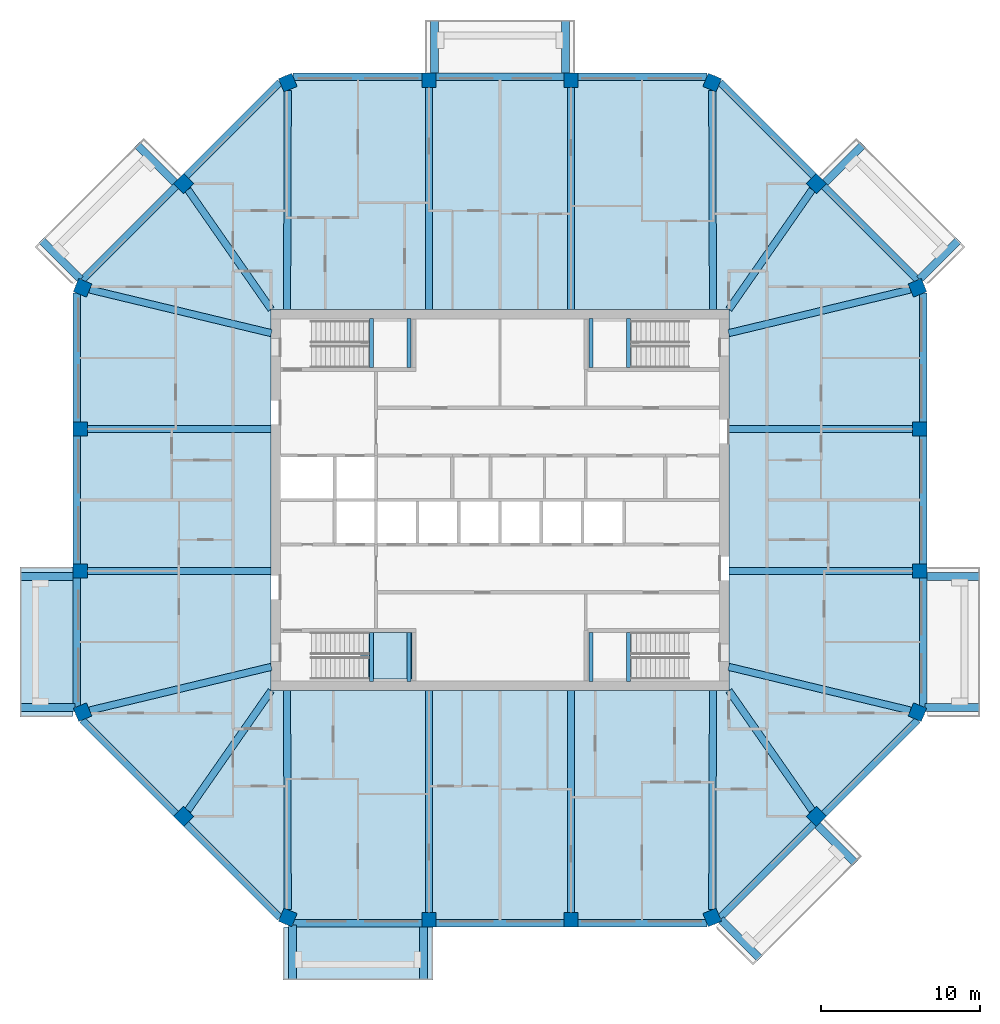
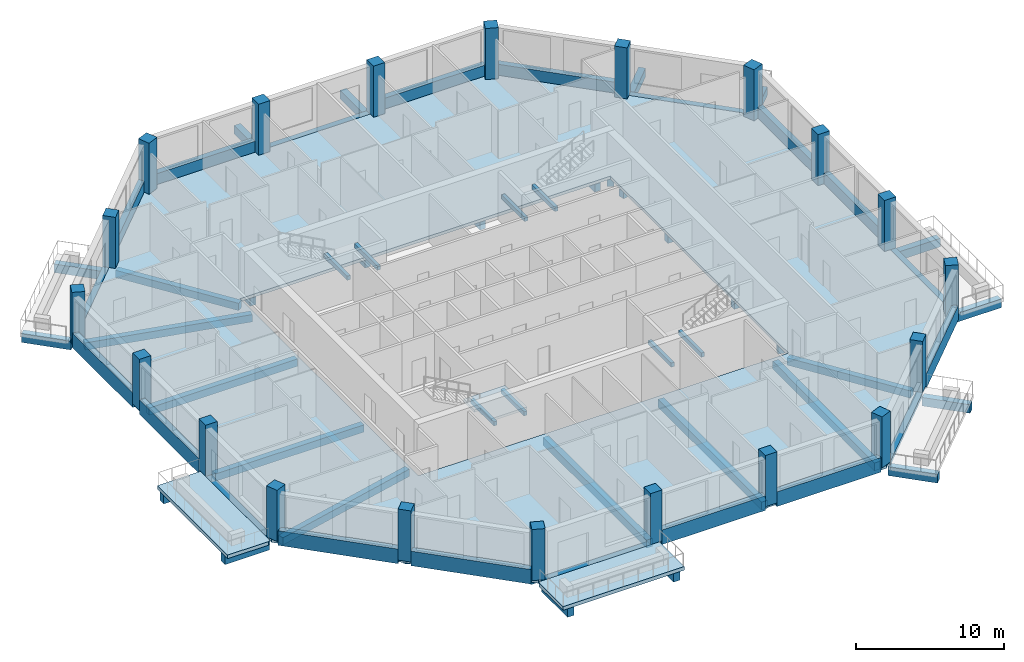
# One storey, part 1 of 11: 62 beams, 20 columns, 4 slabs, 1 element without a shape of its own.
"""IFC4 building model written with IfcOpenShell, lengths in metres."""

from ifc_helpers import new_model, si_unit, direction, frame, origin, origin_2d, place, context, subcontext, project, spatial, polyline, rectangle, outline, extrude, material, layer, layer_set, material_profile, profile_set, type_object, element, aggregate, save


model = new_model("IFC4")

# Units and contexts
model_context = context("Model", 3, precision=1e-05, world=origin(), true_north=direction((0.0, 1.0)))
body_context = subcontext(model_context, "Body", "Model", "MODEL_VIEW")
ifc_project = project(units=[si_unit("LENGTHUNIT", "METRE"), si_unit("AREAUNIT", "SQUARE_METRE"), si_unit("VOLUMEUNIT", "CUBIC_METRE"), si_unit("PLANEANGLEUNIT", "RADIAN"), si_unit("MASSUNIT", "GRAM", prefix="KILO")], contexts=[model_context])

# Site, building, storey
site_placement = place(None, origin())
site = spatial("IfcSite", under=ifc_project, at=site_placement, CompositionType="ELEMENT")
building_placement = place(site_placement, origin())
building = spatial("IfcBuilding", under=site, at=building_placement, Name="Msitu Wima Residences", CompositionType="ELEMENT")
storey_placement = place(building_placement, frame((0.0, 0.0, 226.5)))
storey = spatial("IfcBuildingStorey", under=building, at=storey_placement, Name="L52", CompositionType="ELEMENT", Elevation=226.5)

# Columns
ifc_material_1 = material(Name="Concrete C50/60", Category="concrete")
ifc_material_profile_1 = material_profile(ifc_material_1, rectangle(XDim=0.89990234375, YDim=0.89990234375, at=origin_2d()), Name="RC 900x900")
ifc_profile_set_1 = profile_set([ifc_material_profile_1], Name="Concrete C50/60")
column_type = type_object("IfcColumnType", Name="Column RC 900x900 Concrete C50/60", PredefinedType="COLUMN", material=ifc_profile_set_1)
for number, where, z_axis, x_axis, name in (
    (1, (26.261962890625, -13.3486328125, 0.0), (0.0, 0.0, 1.0), (0.382683496864, 0.923879505795, 0.0), "Column L52 C-E0"),
    (2, (26.39990234375, -4.46875, 0.0), (0.0, 0.0, 1.0), (0.0, 1.0, 0.0), "Column L52 C-E1"),
    (3, (26.39990234375, 4.46875, 0.0), (0.0, 0.0, 1.0), (0.0, 1.0, 0.0), "Column L52 C-E2"),
    (4, (26.261962890625, 13.3486328125, 0.0), (0.0, 0.0, 1.0), (-0.382683496864, 0.923879505795, 0.0), "Column L52 C-NE0"),
    (5, (19.90283203125, 19.90283203125, 0.0), (0.0, 0.0, 1.0), (-0.707106781187, 0.707106781187, 0.0), "Column L52 C-NE1"),
    (6, (13.3486328125, 26.261962890625, 0.0), (0.0, 0.0, 1.0), (-0.923879505795, 0.382683496864, 0.0), "Column L52 C-N0"),
    (7, (4.46875, 26.39990234375, 0.0), (0.0, 0.0, 1.0), (-1.0, 0.0, 0.0), "Column L52 C-N1"),
    (8, (-4.46875, 26.39990234375, 0.0), (0.0, 0.0, 1.0), (-1.0, 0.0, 0.0), "Column L52 C-N2"),
    (9, (-13.3486328125, 26.261962890625, 0.0), (0.0, 0.0, 1.0), (-0.923879505795, -0.382683496864, 0.0), "Column L52 C-NW0"),
    (10, (-19.90283203125, 19.90283203125, 0.0), (0.0, 0.0, 1.0), (-0.707106781187, -0.707106781187, 0.0), "Column L52 C-NW1"),
    (11, (-26.261962890625, 13.3486328125, 0.0), (0.0, 0.0, 1.0), (-0.382683496864, -0.923879505795, 0.0), "Column L52 C-W0"),
    (12, (-26.39990234375, 4.46875, 0.0), (0.0, 0.0, 1.0), (0.0, -1.0, 0.0), "Column L52 C-W1"),
    (13, (-26.39990234375, -4.46875, 0.0), (0.0, 0.0, 1.0), (0.0, -1.0, 0.0), "Column L52 C-W2"),
    (14, (-26.261962890625, -13.3486328125, 0.0), (0.0, 0.0, 1.0), (0.382683496864, -0.923879505795, 0.0), "Column L52 C-SW0"),
    (15, (-19.90283203125, -19.90283203125, 0.0), (0.0, 0.0, 1.0), (0.707106781187, -0.707106781187, 0.0), "Column L52 C-SW1"),
    (16, (-13.3486328125, -26.261962890625, 0.0), (0.0, 0.0, 1.0), (0.923879505795, -0.382683496864, 0.0), "Column L52 C-S0"),
    (17, (-4.46875, -26.39990234375, 0.0), (0.0, 0.0, 1.0), (1.0, 0.0, 0.0), "Column L52 C-S1"),
    (18, (4.46875, -26.39990234375, 0.0), (0.0, 0.0, 1.0), (1.0, 0.0, 0.0), "Column L52 C-S2"),
    (19, (13.3486328125, -26.261962890625, 0.0), (0.0, 0.0, 1.0), (0.923879505795, 0.382683496864, 0.0), "Column L52 C-SE0"),
    (20, (19.90283203125, -19.90283203125, 0.0), (0.0, 0.0, 1.0), (0.707106781187, 0.707106781187, 0.0), "Column L52 C-SE1"),
):
    element("IfcColumn", number, at=place(storey_placement, frame(where, z_axis=z_axis, x_axis=x_axis)), inside=storey, type_object=column_type, Name=name, PredefinedType="COLUMN", context=body_context, shape_type="SweptSolid", body=[
        extrude(rectangle(XDim=0.89990234375, YDim=0.89990234375, at=origin_2d()), origin(), (0.0, 0.0, 1.0), 4.199951171875),
    ])

# Beams
ifc_material_profile_2 = material_profile(ifc_material_1, rectangle(XDim=0.449951171875, YDim=0.60009765625, at=origin_2d()), Name="RC 450x600")
ifc_profile_set_2 = profile_set([ifc_material_profile_2], Name="Concrete C50/60")
beam_type_1 = type_object("IfcBeamType", Name="Beam RC 450x600 Concrete C50/60", PredefinedType="BEAM", material=ifc_profile_set_2)
beam_1_placement = place(storey_placement, frame((25.819091796875, -13.242431640625, -0.550048828125), z_axis=(-0.972353359268, 0.233514335148, 0.0), x_axis=(-0.233514335148, -0.972353359268, 0.0)))
element("IfcBeam", 21, at=beam_1_placement, inside=storey, type_object=beam_type_1, Name="Beam L52 C-E0", PredefinedType="BEAM", context=body_context, shape_type="SweptSolid", body=[
    extrude(rectangle(XDim=0.449951171875, YDim=0.60009765625, at=origin_2d()), origin(), (0.0, 0.0, 1.0), 11.755615234375),
])
for number, where, z_axis, x_axis, name in (
    (22, (25.949951171875, -4.46875, -0.550048828125), (-1.0, 0.0, 0.0), (0.0, -1.0, 0.0), "Beam L52 C-E1"),
    (23, (25.949951171875, 4.46875, -0.550048828125), (-1.0, 0.0, 0.0), (0.0, -1.0, 0.0), "Beam L52 C-E2"),
):
    element("IfcBeam", number, at=place(storey_placement, frame(where, z_axis=z_axis, x_axis=x_axis)), inside=storey, type_object=beam_type_1, Name=name, PredefinedType="BEAM", context=body_context, shape_type="SweptSolid", body=[
        extrude(rectangle(XDim=0.449951171875, YDim=0.60009765625, at=origin_2d()), origin(), (0.0, 0.0, 1.0), 11.550048828125),
    ])
beam_2_placement = place(storey_placement, frame((25.819091796875, 13.242431640625, -0.550048828125), z_axis=(-0.972353359268, -0.233514335148, 0.0), x_axis=(0.233514335148, -0.972353359268, 0.0)))
element("IfcBeam", 24, at=beam_2_placement, inside=storey, type_object=beam_type_1, Name="Beam L52 C-NE0", PredefinedType="BEAM", context=body_context, shape_type="SweptSolid", body=[
    extrude(rectangle(XDim=0.449951171875, YDim=0.60009765625, at=origin_2d()), origin(), (0.0, 0.0, 1.0), 11.755615234375),
])
for number, where, z_axis, x_axis, name in (
    (25, (19.6416015625, 19.52783203125, -0.550048828125), (-0.571427822633, -0.820652328042, 0.0), (0.820652328042, -0.571427822633, 0.0), "Beam L52 C-NE1"),
    (26, (-19.6416015625, 19.52783203125, -0.550048828125), (0.571427822633, -0.820652328042, 0.0), (0.820652328042, 0.571427822633, 0.0), "Beam L52 C-NW1"),
):
    element("IfcBeam", number, at=place(storey_placement, frame(where, z_axis=z_axis, x_axis=x_axis)), inside=storey, type_object=beam_type_1, Name=name, PredefinedType="BEAM", context=body_context, shape_type="SweptSolid", body=[
        extrude(rectangle(XDim=0.449951171875, YDim=0.60009765625, at=origin_2d()), origin(), (0.0, 0.0, 1.0), 9.173095703125),
    ])
beam_3_placement = place(storey_placement, frame((-25.819091796875, 13.242431640625, -0.550048828125), z_axis=(0.972353359268, -0.233514335148, 0.0), x_axis=(0.233514335148, 0.972353359268, 0.0)))
element("IfcBeam", 27, at=beam_3_placement, inside=storey, type_object=beam_type_1, Name="Beam L52 C-W0", PredefinedType="BEAM", context=body_context, shape_type="SweptSolid", body=[
    extrude(rectangle(XDim=0.449951171875, YDim=0.60009765625, at=origin_2d()), origin(), (0.0, 0.0, 1.0), 11.755615234375),
])
for number, where, z_axis, x_axis, name in (
    (28, (-25.949951171875, 4.46875, -0.550048828125), (1.0, 0.0, 0.0), (0.0, 1.0, 0.0), "Beam L52 C-W1"),
    (29, (-25.949951171875, -4.46875, -0.550048828125), (1.0, 0.0, 0.0), (0.0, 1.0, 0.0), "Beam L52 C-W2"),
):
    element("IfcBeam", number, at=place(storey_placement, frame(where, z_axis=z_axis, x_axis=x_axis)), inside=storey, type_object=beam_type_1, Name=name, PredefinedType="BEAM", context=body_context, shape_type="SweptSolid", body=[
        extrude(rectangle(XDim=0.449951171875, YDim=0.60009765625, at=origin_2d()), origin(), (0.0, 0.0, 1.0), 11.550048828125),
    ])
beam_4_placement = place(storey_placement, frame((-25.819091796875, -13.242431640625, -0.550048828125), z_axis=(0.972353359268, 0.233514335148, 0.0), x_axis=(-0.233514335148, 0.972353359268, 0.0)))
element("IfcBeam", 30, at=beam_4_placement, inside=storey, type_object=beam_type_1, Name="Beam L52 C-SW0", PredefinedType="BEAM", context=body_context, shape_type="SweptSolid", body=[
    extrude(rectangle(XDim=0.449951171875, YDim=0.60009765625, at=origin_2d()), origin(), (0.0, 0.0, 1.0), 11.755615234375),
])
for number, where, z_axis, x_axis, name in (
    (31, (-19.6416015625, -19.52783203125, -0.550048828125), (0.571427822633, 0.820652328042, 0.0), (-0.820652328042, 0.571427822633, 0.0), "Beam L52 C-SW1"),
    (32, (19.6416015625, -19.52783203125, -0.550048828125), (-0.571427822633, 0.820652328042, 0.0), (-0.820652328042, -0.571427822633, 0.0), "Beam L52 C-SE1"),
):
    element("IfcBeam", number, at=place(storey_placement, frame(where, z_axis=z_axis, x_axis=x_axis)), inside=storey, type_object=beam_type_1, Name=name, PredefinedType="BEAM", context=body_context, shape_type="SweptSolid", body=[
        extrude(rectangle(XDim=0.449951171875, YDim=0.60009765625, at=origin_2d()), origin(), (0.0, 0.0, 1.0), 9.173095703125),
    ])
ifc_material_profile_3 = material_profile(ifc_material_1, rectangle(XDim=0.449951171875, YDim=0.64990234375, at=origin_2d()), Name="RC 450x650")
ifc_profile_set_3 = profile_set([ifc_material_profile_3], Name="Concrete C50/60")
beam_type_2 = type_object("IfcBeamType", Name="Beam RC 450x650 Concrete C50/60", PredefinedType="BEAM", material=ifc_profile_set_3)
beam_5_placement = place(storey_placement, frame((13.3505859375, 25.774169921875, -0.574951171875), z_axis=(0.003594933206, -0.999993538207, 0.0), x_axis=(0.999993538207, 0.003594933206, 0.0)))
element("IfcBeam", 33, at=beam_5_placement, inside=storey, type_object=beam_type_2, Name="Beam L52 C-N0", PredefinedType="BEAM", context=body_context, shape_type="SweptSolid", body=[
    extrude(rectangle(XDim=0.449951171875, YDim=0.64990234375, at=origin_2d()), origin(), (0.0, 0.0, 1.0), 13.7861328125),
])
for number, where, z_axis, x_axis, name in (
    (34, (4.46875, 25.949951171875, -0.574951171875), (0.0, -1.0, 0.0), (1.0, 0.0, 0.0), "Beam L52 C-N1"),
    (35, (-4.46875, 25.949951171875, -0.574951171875), (0.0, -1.0, 0.0), (1.0, 0.0, 0.0), "Beam L52 C-N2"),
):
    element("IfcBeam", number, at=place(storey_placement, frame(where, z_axis=z_axis, x_axis=x_axis)), inside=storey, type_object=beam_type_2, Name=name, PredefinedType="BEAM", context=body_context, shape_type="SweptSolid", body=[
        extrude(rectangle(XDim=0.449951171875, YDim=0.64990234375, at=origin_2d()), origin(), (0.0, 0.0, 1.0), 13.949951171875),
    ])
for number, where, z_axis, x_axis, name in (
    (36, (-13.3505859375, 25.774169921875, -0.574951171875), (-0.003594933206, -0.999993538207, 0.0), (0.999993538207, -0.003594933206, 0.0), "Beam L52 C-NW0"),
    (37, (-13.3505859375, -25.774169921875, -0.574951171875), (-0.003594933206, 0.999993538207, 0.0), (-0.999993538207, -0.003594933206, 0.0), "Beam L52 C-S0"),
):
    element("IfcBeam", number, at=place(storey_placement, frame(where, z_axis=z_axis, x_axis=x_axis)), inside=storey, type_object=beam_type_2, Name=name, PredefinedType="BEAM", context=body_context, shape_type="SweptSolid", body=[
        extrude(rectangle(XDim=0.449951171875, YDim=0.64990234375, at=origin_2d()), origin(), (0.0, 0.0, 1.0), 13.7861328125),
    ])
for number, where, z_axis, x_axis, name in (
    (38, (-4.46875, -25.949951171875, -0.574951171875), (0.0, 1.0, 0.0), (-1.0, 0.0, 0.0), "Beam L52 C-S1"),
    (39, (4.46875, -25.949951171875, -0.574951171875), (0.0, 1.0, 0.0), (-1.0, 0.0, 0.0), "Beam L52 C-S2"),
):
    element("IfcBeam", number, at=place(storey_placement, frame(where, z_axis=z_axis, x_axis=x_axis)), inside=storey, type_object=beam_type_2, Name=name, PredefinedType="BEAM", context=body_context, shape_type="SweptSolid", body=[
        extrude(rectangle(XDim=0.449951171875, YDim=0.64990234375, at=origin_2d()), origin(), (0.0, 0.0, 1.0), 13.949951171875),
    ])
beam_6_placement = place(storey_placement, frame((13.3505859375, -25.774169921875, -0.574951171875), z_axis=(0.003594933206, 0.999993538207, 0.0), x_axis=(-0.999993538207, 0.003594933206, 0.0)))
element("IfcBeam", 40, at=beam_6_placement, inside=storey, type_object=beam_type_2, Name="Beam L52 C-SE0", PredefinedType="BEAM", context=body_context, shape_type="SweptSolid", body=[
    extrude(rectangle(XDim=0.449951171875, YDim=0.64990234375, at=origin_2d()), origin(), (0.0, 0.0, 1.0), 13.7861328125),
])
ifc_material_profile_4 = material_profile(ifc_material_1, rectangle(XDim=0.5, YDim=0.699951171875, at=origin_2d()), Name="RC 500x700")
ifc_profile_set_4 = profile_set([ifc_material_profile_4], Name="Concrete C50/60")
beam_type_3 = type_object("IfcBeamType", Name="Cantilever beam RC 500x700 Concrete C50/60", PredefinedType="BEAM", material=ifc_profile_set_4)
beam_7_placement = place(storey_placement, frame((26.73095703125, -13.055908203125, -0.64990234375), z_axis=(1.0, 0.0, 0.0), x_axis=(0.0, 1.0, 0.0)))
element("IfcBeam", 41, at=beam_7_placement, inside=storey, type_object=beam_type_3, Name="Cantilever beam L52 BA-E0 A", PredefinedType="BEAM", context=body_context, shape_type="SweptSolid", body=[
    extrude(rectangle(XDim=0.5, YDim=0.699951171875, at=origin_2d()), origin(), (0.0, 0.0, 1.0), 3.468994140625),
])
beam_8_placement = place(storey_placement, frame((26.85009765625, -4.818603515625, -0.64990234375), z_axis=(1.0, 0.0, 0.0), x_axis=(0.0, 1.0, 0.0)))
element("IfcBeam", 42, at=beam_8_placement, inside=storey, type_object=beam_type_3, Name="Cantilever beam L52 BA-E0 B", PredefinedType="BEAM", context=body_context, shape_type="SweptSolid", body=[
    extrude(rectangle(XDim=0.5, YDim=0.699951171875, at=origin_2d()), origin(), (0.0, 0.0, 1.0), 3.349853515625),
])
beam_9_placement = place(storey_placement, frame((26.386474609375, 13.887451171875, -0.64990234375), z_axis=(0.707141968506, 0.707071592116, 0.0), x_axis=(-0.707071592116, 0.707141968506, 0.0)))
element("IfcBeam", 43, at=beam_9_placement, inside=storey, type_object=beam_type_3, Name="Cantilever beam L52 BA-NE0 A", PredefinedType="BEAM", context=body_context, shape_type="SweptSolid", body=[
    extrude(rectangle(XDim=0.5, YDim=0.699951171875, at=origin_2d()), origin(), (0.0, 0.0, 1.0), 3.468994140625),
])
for number, where, z_axis, x_axis, name in (
    (44, (20.46875, 19.9736328125, -0.64990234375), (0.707070340836, 0.707143219659, 0.0), (-0.707143219659, 0.707070340836, 0.0), "Cantilever beam L52 BA-NE0 B"),
    (45, (4.11865234375, 26.85009765625, -0.64990234375), (0.0, 1.0, 0.0), (-1.0, 0.0, 0.0), "Cantilever beam L52 BA-N1 A"),
    (46, (-4.11865234375, 26.85009765625, -0.64990234375), (0.0, 1.0, 0.0), (-1.0, 0.0, 0.0), "Cantilever beam L52 BA-N1 B"),
    (47, (-20.46875, 19.9736328125, -0.64990234375), (-0.707070340836, 0.707143219659, 0.0), (-0.707143219659, -0.707070340836, 0.0), "Cantilever beam L52 BA-NW1 A"),
):
    element("IfcBeam", number, at=place(storey_placement, frame(where, z_axis=z_axis, x_axis=x_axis)), inside=storey, type_object=beam_type_3, Name=name, PredefinedType="BEAM", context=body_context, shape_type="SweptSolid", body=[
        extrude(rectangle(XDim=0.5, YDim=0.699951171875, at=origin_2d()), origin(), (0.0, 0.0, 1.0), 3.349853515625),
    ])
beam_10_placement = place(storey_placement, frame((-26.386474609375, 13.887451171875, -0.64990234375), z_axis=(-0.707141968506, 0.707071592116, 0.0), x_axis=(-0.707071592116, -0.707141968506, 0.0)))
element("IfcBeam", 48, at=beam_10_placement, inside=storey, type_object=beam_type_3, Name="Cantilever beam L52 BA-NW1 B", PredefinedType="BEAM", context=body_context, shape_type="SweptSolid", body=[
    extrude(rectangle(XDim=0.5, YDim=0.699951171875, at=origin_2d()), origin(), (0.0, 0.0, 1.0), 3.468994140625),
])
beam_11_placement = place(storey_placement, frame((-26.85009765625, -4.818603515625, -0.64990234375), z_axis=(-1.0, 0.0, 0.0), x_axis=(0.0, -1.0, 0.0)))
element("IfcBeam", 49, at=beam_11_placement, inside=storey, type_object=beam_type_3, Name="Cantilever beam L52 BA-W2 A", PredefinedType="BEAM", context=body_context, shape_type="SweptSolid", body=[
    extrude(rectangle(XDim=0.5, YDim=0.699951171875, at=origin_2d()), origin(), (0.0, 0.0, 1.0), 3.349853515625),
])
for number, where, z_axis, x_axis, name in (
    (50, (-26.73095703125, -13.055908203125, -0.64990234375), (-1.0, 0.0, 0.0), (0.0, -1.0, 0.0), "Cantilever beam L52 BA-W2 B"),
    (51, (-13.055908203125, -26.73095703125, -0.64990234375), (0.0, -1.0, 0.0), (1.0, 0.0, 0.0), "Cantilever beam L52 BA-S0 A"),
):
    element("IfcBeam", number, at=place(storey_placement, frame(where, z_axis=z_axis, x_axis=x_axis)), inside=storey, type_object=beam_type_3, Name=name, PredefinedType="BEAM", context=body_context, shape_type="SweptSolid", body=[
        extrude(rectangle(XDim=0.5, YDim=0.699951171875, at=origin_2d()), origin(), (0.0, 0.0, 1.0), 3.468994140625),
    ])
beam_12_placement = place(storey_placement, frame((-4.818603515625, -26.85009765625, -0.64990234375), z_axis=(0.0, -1.0, 0.0), x_axis=(1.0, 0.0, 0.0)))
element("IfcBeam", 52, at=beam_12_placement, inside=storey, type_object=beam_type_3, Name="Cantilever beam L52 BA-S0 B", PredefinedType="BEAM", context=body_context, shape_type="SweptSolid", body=[
    extrude(rectangle(XDim=0.5, YDim=0.699951171875, at=origin_2d()), origin(), (0.0, 0.0, 1.0), 3.349853515625),
])
beam_13_placement = place(storey_placement, frame((13.887451171875, -26.386474609375, -0.64990234375), z_axis=(0.707071592116, -0.707141968506, 0.0), x_axis=(0.707141968506, 0.707071592116, 0.0)))
element("IfcBeam", 53, at=beam_13_placement, inside=storey, type_object=beam_type_3, Name="Cantilever beam L52 BA-SE0 A", PredefinedType="BEAM", context=body_context, shape_type="SweptSolid", body=[
    extrude(rectangle(XDim=0.5, YDim=0.699951171875, at=origin_2d()), origin(), (0.0, 0.0, 1.0), 3.468994140625),
])
beam_14_placement = place(storey_placement, frame((19.9736328125, -20.46875, -0.64990234375), z_axis=(0.707143219659, -0.707070340836, 0.0), x_axis=(0.707070340836, 0.707143219659, 0.0)))
element("IfcBeam", 54, at=beam_14_placement, inside=storey, type_object=beam_type_3, Name="Cantilever beam L52 BA-SE0 B", PredefinedType="BEAM", context=body_context, shape_type="SweptSolid", body=[
    extrude(rectangle(XDim=0.5, YDim=0.699951171875, at=origin_2d()), origin(), (0.0, 0.0, 1.0), 3.349853515625),
])
ifc_material_profile_5 = material_profile(ifc_material_1, rectangle(XDim=0.449951171875, YDim=0.300048828125, at=origin_2d()), Name="RC 450x300")
ifc_profile_set_5 = profile_set([ifc_material_profile_5], Name="Concrete C50/60")
beam_type_4 = type_object("IfcBeamType", Name="Edge beam RC 450x300 Concrete C50/60", PredefinedType="SPANDREL", material=ifc_profile_set_5)
beam_15_placement = place(storey_placement, frame((26.625, -13.02392578125, -0.14990234375), z_axis=(0.0, 1.0, 0.0), x_axis=(-1.0, 0.0, 0.0)))
element("IfcBeam", 55, at=beam_15_placement, inside=storey, type_object=beam_type_4, Name="Spandrel L52 E0", PredefinedType="SPANDREL", context=body_context, shape_type="SweptSolid", body=[
    extrude(rectangle(XDim=0.449951171875, YDim=0.300048828125, at=origin_2d()), origin(), (0.0, 0.0, 1.0), 8.105224609375),
])
beam_16_placement = place(storey_placement, frame((26.2890625, 13.8349609375, -0.14990234375), z_axis=(-0.707106781187, 0.707106781187, 0.0), x_axis=(-0.707106781187, -0.707106781187, 0.0)))
element("IfcBeam", 56, at=beam_16_placement, inside=storey, type_object=beam_type_4, Name="Spandrel L52 NE0", PredefinedType="SPANDREL", context=body_context, shape_type="SweptSolid", body=[
    extrude(rectangle(XDim=0.449951171875, YDim=0.300048828125, at=origin_2d()), origin(), (0.0, 0.0, 1.0), 8.3564453125),
])
beam_17_placement = place(storey_placement, frame((4.0185546875, 26.625, -0.14990234375), z_axis=(-1.0, 0.0, 0.0), x_axis=(0.0, -1.0, 0.0)))
element("IfcBeam", 57, at=beam_17_placement, inside=storey, type_object=beam_type_4, Name="Spandrel L52 N1", PredefinedType="SPANDREL", context=body_context, shape_type="SweptSolid", body=[
    extrude(rectangle(XDim=0.449951171875, YDim=0.300048828125, at=origin_2d()), origin(), (0.0, 0.0, 1.0), 8.037109375),
])
beam_18_placement = place(storey_placement, frame((-20.380126953125, 19.743896484375, -0.14990234375), z_axis=(-0.707106781187, -0.707106781187, 0.0), x_axis=(0.707106781187, -0.707106781187, 0.0)))
element("IfcBeam", 58, at=beam_18_placement, inside=storey, type_object=beam_type_4, Name="Spandrel L52 NW1", PredefinedType="SPANDREL", context=body_context, shape_type="SweptSolid", body=[
    extrude(rectangle(XDim=0.449951171875, YDim=0.300048828125, at=origin_2d()), origin(), (0.0, 0.0, 1.0), 8.3564453125),
])
for number, where, z_axis, x_axis, name in (
    (59, (-26.625, -4.918701171875, -0.14990234375), (0.0, -1.0, 0.0), (1.0, 0.0, 0.0), "Spandrel L52 W2"),
    (60, (-13.02392578125, -26.625, -0.14990234375), (1.0, 0.0, 0.0), (0.0, 1.0, 0.0), "Spandrel L52 S0"),
):
    element("IfcBeam", number, at=place(storey_placement, frame(where, z_axis=z_axis, x_axis=x_axis)), inside=storey, type_object=beam_type_4, Name=name, PredefinedType="SPANDREL", context=body_context, shape_type="SweptSolid", body=[
        extrude(rectangle(XDim=0.449951171875, YDim=0.300048828125, at=origin_2d()), origin(), (0.0, 0.0, 1.0), 8.105224609375),
    ])
beam_19_placement = place(storey_placement, frame((13.8349609375, -26.2890625, -0.14990234375), z_axis=(0.707106781187, 0.707106781187, 0.0), x_axis=(-0.707106781187, 0.707106781187, 0.0)))
element("IfcBeam", 61, at=beam_19_placement, inside=storey, type_object=beam_type_4, Name="Spandrel L52 SE0", PredefinedType="SPANDREL", context=body_context, shape_type="SweptSolid", body=[
    extrude(rectangle(XDim=0.449951171875, YDim=0.300048828125, at=origin_2d()), origin(), (0.0, 0.0, 1.0), 8.3564453125),
])
ifc_material_2 = material(Name="Concrete C40/50", Category="concrete")
ifc_material_profile_6 = material_profile(ifc_material_2, rectangle(XDim=0.25, YDim=0.35009765625, at=origin_2d()), Name="RC 250x350")
ifc_profile_set_6 = profile_set([ifc_material_profile_6], Name="Concrete C40/50")
beam_type_5 = type_object("IfcBeamType", Name="Landing beam RC 250x350", PredefinedType="BEAM", material=ifc_profile_set_6)
for number, where, z_axis, x_axis, name in (
    (62, (-8.074951171875, 8.324951171875, 1.72509765625), (0.0, 1.0, 0.0), (-1.0, 0.0, 0.0), "Stair 1 landing beam"),
    (63, (-5.72509765625, 8.324951171875, 1.72509765625), (0.0, 1.0, 0.0), (-1.0, 0.0, 0.0), "Stair 1 landing beam"),
    (64, (-8.074951171875, -11.425048828125, 1.72509765625), (0.0, 1.0, 0.0), (-1.0, 0.0, 0.0), "Stair 2 landing beam"),
    (65, (-5.72509765625, -11.425048828125, 1.72509765625), (0.0, 1.0, 0.0), (-1.0, 0.0, 0.0), "Stair 2 landing beam"),
    (66, (8.074951171875, 8.324951171875, 1.72509765625), (0.0, 1.0, 0.0), (-1.0, 0.0, 0.0), "Stair 3 landing beam"),
    (67, (5.72509765625, 8.324951171875, 1.72509765625), (0.0, 1.0, 0.0), (-1.0, 0.0, 0.0), "Stair 3 landing beam"),
    (68, (8.074951171875, -11.425048828125, 1.72509765625), (0.0, 1.0, 0.0), (-1.0, 0.0, 0.0), "Stair 4 landing beam"),
    (69, (5.72509765625, -11.425048828125, 1.72509765625), (0.0, 1.0, 0.0), (-1.0, 0.0, 0.0), "Stair 4 landing beam"),
):
    element("IfcBeam", number, at=place(storey_placement, frame(where, z_axis=z_axis, x_axis=x_axis)), inside=storey, type_object=beam_type_5, Name=name, PredefinedType="BEAM", context=body_context, shape_type="SweptSolid", body=[
        extrude(rectangle(XDim=0.25, YDim=0.35009765625, at=origin_2d()), origin(), (0.0, 0.0, 1.0), 3.10009765625),
    ])
ifc_material_profile_7 = material_profile(ifc_material_1, rectangle(XDim=0.449951171875, YDim=1.199951171875, at=origin_2d()), Name="RC 450x1200")
ifc_profile_set_7 = profile_set([ifc_material_profile_7], Name="Concrete C50/60")
beam_type_6 = type_object("IfcBeamType", Name="Spandrel RC 450x1200 Concrete C50/60", PredefinedType="SPANDREL", material=ifc_profile_set_7)
beam_20_placement = place(storey_placement, frame((26.625, -4.0185546875, 0.300048828125), z_axis=(0.0, 1.0, 0.0), x_axis=(-1.0, 0.0, 0.0)))
element("IfcBeam", 70, at=beam_20_placement, inside=storey, type_object=beam_type_6, Name="Spandrel L52 E1", PredefinedType="SPANDREL", context=body_context, shape_type="SweptSolid", body=[
    extrude(rectangle(XDim=0.449951171875, YDim=1.199951171875, at=origin_2d()), origin(), (0.0, 0.0, 1.0), 8.037109375),
])
beam_21_placement = place(storey_placement, frame((26.625, 4.918701171875, 0.300048828125), z_axis=(0.0, 1.0, 0.0), x_axis=(-1.0, 0.0, 0.0)))
element("IfcBeam", 71, at=beam_21_placement, inside=storey, type_object=beam_type_6, Name="Spandrel L52 E2", PredefinedType="SPANDREL", context=body_context, shape_type="SweptSolid", body=[
    extrude(rectangle(XDim=0.449951171875, YDim=1.199951171875, at=origin_2d()), origin(), (0.0, 0.0, 1.0), 8.105224609375),
])
beam_22_placement = place(storey_placement, frame((19.743896484375, 20.380126953125, 0.300048828125), z_axis=(-0.707106781187, 0.707106781187, 0.0), x_axis=(-0.707106781187, -0.707106781187, 0.0)))
element("IfcBeam", 72, at=beam_22_placement, inside=storey, type_object=beam_type_6, Name="Spandrel L52 NE1", PredefinedType="SPANDREL", context=body_context, shape_type="SweptSolid", body=[
    extrude(rectangle(XDim=0.449951171875, YDim=1.199951171875, at=origin_2d()), origin(), (0.0, 0.0, 1.0), 8.3564453125),
])
for number, where, z_axis, x_axis, name in (
    (73, (13.02392578125, 26.625, 0.300048828125), (-1.0, 0.0, 0.0), (0.0, -1.0, 0.0), "Spandrel L52 N0"),
    (74, (-4.918701171875, 26.625, 0.300048828125), (-1.0, 0.0, 0.0), (0.0, -1.0, 0.0), "Spandrel L52 N2"),
):
    element("IfcBeam", number, at=place(storey_placement, frame(where, z_axis=z_axis, x_axis=x_axis)), inside=storey, type_object=beam_type_6, Name=name, PredefinedType="SPANDREL", context=body_context, shape_type="SweptSolid", body=[
        extrude(rectangle(XDim=0.449951171875, YDim=1.199951171875, at=origin_2d()), origin(), (0.0, 0.0, 1.0), 8.105224609375),
    ])
beam_23_placement = place(storey_placement, frame((-13.8349609375, 26.2890625, 0.300048828125), z_axis=(-0.707106781187, -0.707106781187, 0.0), x_axis=(0.707106781187, -0.707106781187, 0.0)))
element("IfcBeam", 75, at=beam_23_placement, inside=storey, type_object=beam_type_6, Name="Spandrel L52 NW0", PredefinedType="SPANDREL", context=body_context, shape_type="SweptSolid", body=[
    extrude(rectangle(XDim=0.449951171875, YDim=1.199951171875, at=origin_2d()), origin(), (0.0, 0.0, 1.0), 8.3564453125),
])
beam_24_placement = place(storey_placement, frame((-26.625, 13.02392578125, 0.300048828125), z_axis=(0.0, -1.0, 0.0), x_axis=(1.0, 0.0, 0.0)))
element("IfcBeam", 76, at=beam_24_placement, inside=storey, type_object=beam_type_6, Name="Spandrel L52 W0", PredefinedType="SPANDREL", context=body_context, shape_type="SweptSolid", body=[
    extrude(rectangle(XDim=0.449951171875, YDim=1.199951171875, at=origin_2d()), origin(), (0.0, 0.0, 1.0), 8.105224609375),
])
beam_25_placement = place(storey_placement, frame((-26.625, 4.0185546875, 0.300048828125), z_axis=(0.0, -1.0, 0.0), x_axis=(1.0, 0.0, 0.0)))
element("IfcBeam", 77, at=beam_25_placement, inside=storey, type_object=beam_type_6, Name="Spandrel L52 W1", PredefinedType="SPANDREL", context=body_context, shape_type="SweptSolid", body=[
    extrude(rectangle(XDim=0.449951171875, YDim=1.199951171875, at=origin_2d()), origin(), (0.0, 0.0, 1.0), 8.037109375),
])
for number, where, z_axis, x_axis, name in (
    (78, (-26.2890625, -13.8349609375, 0.300048828125), (0.707106781187, -0.707106781187, 0.0), (0.707106781187, 0.707106781187, 0.0), "Spandrel L52 SW0"),
    (79, (-19.743896484375, -20.380126953125, 0.300048828125), (0.707106781187, -0.707106781187, 0.0), (0.707106781187, 0.707106781187, 0.0), "Spandrel L52 SW1"),
):
    element("IfcBeam", number, at=place(storey_placement, frame(where, z_axis=z_axis, x_axis=x_axis)), inside=storey, type_object=beam_type_6, Name=name, PredefinedType="SPANDREL", context=body_context, shape_type="SweptSolid", body=[
        extrude(rectangle(XDim=0.449951171875, YDim=1.199951171875, at=origin_2d()), origin(), (0.0, 0.0, 1.0), 8.3564453125),
    ])
beam_26_placement = place(storey_placement, frame((-4.0185546875, -26.625, 0.300048828125), z_axis=(1.0, 0.0, 0.0), x_axis=(0.0, 1.0, 0.0)))
element("IfcBeam", 80, at=beam_26_placement, inside=storey, type_object=beam_type_6, Name="Spandrel L52 S1", PredefinedType="SPANDREL", context=body_context, shape_type="SweptSolid", body=[
    extrude(rectangle(XDim=0.449951171875, YDim=1.199951171875, at=origin_2d()), origin(), (0.0, 0.0, 1.0), 8.037109375),
])
beam_27_placement = place(storey_placement, frame((4.918701171875, -26.625, 0.300048828125), z_axis=(1.0, 0.0, 0.0), x_axis=(0.0, 1.0, 0.0)))
element("IfcBeam", 81, at=beam_27_placement, inside=storey, type_object=beam_type_6, Name="Spandrel L52 S2", PredefinedType="SPANDREL", context=body_context, shape_type="SweptSolid", body=[
    extrude(rectangle(XDim=0.449951171875, YDim=1.199951171875, at=origin_2d()), origin(), (0.0, 0.0, 1.0), 8.105224609375),
])
beam_28_placement = place(storey_placement, frame((20.380126953125, -19.743896484375, 0.300048828125), z_axis=(0.707106781187, 0.707106781187, 0.0), x_axis=(-0.707106781187, 0.707106781187, 0.0)))
element("IfcBeam", 82, at=beam_28_placement, inside=storey, type_object=beam_type_6, Name="Spandrel L52 SE1", PredefinedType="SPANDREL", context=body_context, shape_type="SweptSolid", body=[
    extrude(rectangle(XDim=0.449951171875, YDim=1.199951171875, at=origin_2d()), origin(), (0.0, 0.0, 1.0), 8.3564453125),
])

# Slabs
ifc_layer_1 = layer(ifc_material_2, 0.300048828125)
ifc_layer_set_1 = layer_set([ifc_layer_1], Name="Concrete C40/50")
slab_type_1 = type_object("IfcSlabType", Name="Balcony slab BS300", PredefinedType="FLOOR", material=ifc_layer_set_1)
slab_1_placement = place(storey_placement, frame((0.0, 0.0, -0.300048828125)))
element("IfcSlab", 83, at=slab_1_placement, inside=storey, type_object=slab_type_1, Name="Balcony W2 L52", PredefinedType="FLOOR", context=body_context, shape_type="SweptSolid", body=[
    extrude(outline(polyline([(-26.85009765625, -13.105224609375), (-26.85009765625, -13.105224609375), (-26.85009765625, -13.105224609375), (-26.85009765625, -13.59228515625), (-27.003662109375, -13.656005859375), (-30.199951171875, -13.656005859375), (-30.199951171875, -4.21875), (-26.85009765625, -4.21875), (-26.85009765625, -4.918701171875), (-26.85009765625, -13.105224609375)])), origin(), (0.0, 0.0, 1.0), 0.300048828125),
])
slab_2_placement = place(storey_placement, frame((0.0, 0.0, -0.300048828125)))
element("IfcSlab", 84, at=slab_2_placement, inside=storey, type_object=slab_type_1, Name="Balcony S0 L52", PredefinedType="FLOOR", context=body_context, shape_type="SweptSolid", body=[
    extrude(outline(polyline([(-13.105224609375, -26.85009765625), (-13.105224609375, -26.85009765625), (-4.918701171875, -26.85009765625), (-4.21875, -26.85009765625), (-4.21875, -30.199951171875), (-13.656005859375, -30.199951171875), (-13.656005859375, -27.003662109375), (-13.59228515625, -26.85009765625), (-13.105224609375, -26.85009765625), (-13.105224609375, -26.85009765625)])), origin(), (0.0, 0.0, 1.0), 0.300048828125),
])
ifc_layer_2 = layer(ifc_material_2, 0.25)
ifc_layer_set_2 = layer_set([ifc_layer_2], Name="Concrete C40/50")
slab_type_2 = type_object("IfcSlabType", Name="PT flat slab 250 Concrete C40/50", PredefinedType="FLOOR", material=ifc_layer_set_2)
slab_3_placement = place(storey_placement, frame((0.0, 0.0, -0.25)))
element("IfcSlab", 85, at=slab_3_placement, inside=storey, type_object=slab_type_2, Name="Floor slab L52", PredefinedType="FLOOR", context=body_context, shape_type="SweptSolid", body=[
    extrude(outline(polyline([(26.699951171875, -13.5302734375), (13.5302734375, -26.699951171875), (-13.5302734375, -26.699951171875), (-26.699951171875, -13.5302734375), (-26.699951171875, 13.5302734375), (-13.5302734375, 26.699951171875), (13.5302734375, 26.699951171875), (26.699951171875, 13.5302734375), (26.699951171875, -13.5302734375)]), holes=[polyline([(-14.39990234375, -12.0), (14.39990234375, -12.0), (14.39990234375, 12.0), (-14.39990234375, 12.0), (-14.39990234375, -12.0)])]), origin(), (0.0, 0.0, 1.0), 0.25),
])

# Stair, slab
stair_type = type_object("IfcStairType", Name="Exit stair ES1615-140", PredefinedType="HALF_TURN_STAIR", material=ifc_material_2)
stair_placement = place(storey_placement, origin())
stair = element("IfcStair", 86, at=stair_placement, inside=storey, type_object=stair_type, Name="Exit stair 2", PredefinedType="HALF_TURN_STAIR")
ifc_layer_3 = layer(ifc_material_2, 0.199951171875)
ifc_layer_set_3 = layer_set([ifc_layer_3], Name="Concrete C40/50")
slab_type_3 = type_object("IfcSlabType", Name="Stair landing SL200", PredefinedType="LANDING", material=ifc_layer_set_3)
slab_4_placement = place(storey_placement, frame((0.0, 0.0, 1.89990234375)))
slab_4 = element("IfcSlab", 87, at=slab_4_placement, type_object=slab_type_3, Name="S2 landing 1", PredefinedType="LANDING", context=body_context, shape_type="SweptSolid", body=[
    extrude(outline(polyline([(-5.52490234375, -11.27490234375), (-8.275390625, -11.27490234375), (-8.275390625, -9.800048828125), (-8.77490234375, -9.800048828125), (-8.77490234375, -8.324951171875), (-5.52490234375, -8.324951171875), (-5.52490234375, -11.27490234375)])), origin(), (0.0, 0.0, 1.0), 0.2001953125),
])
aggregate(stair, [slab_4])

save(model, "model.ifc")
